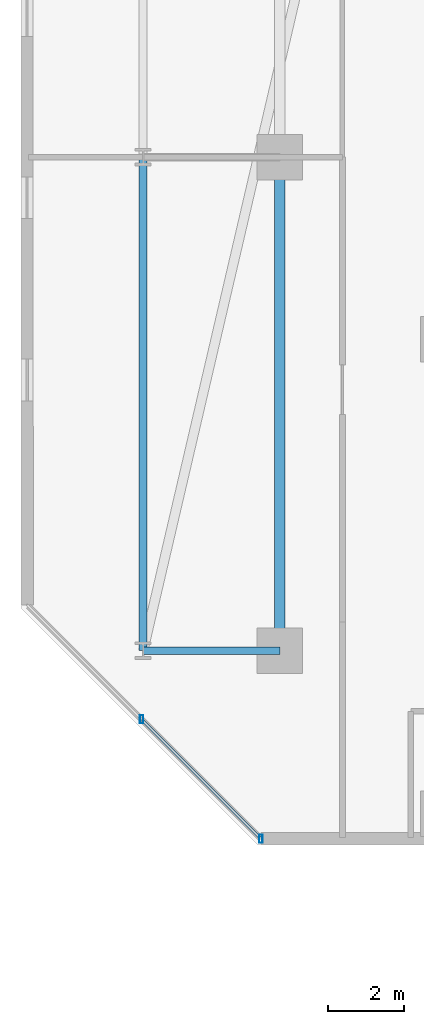
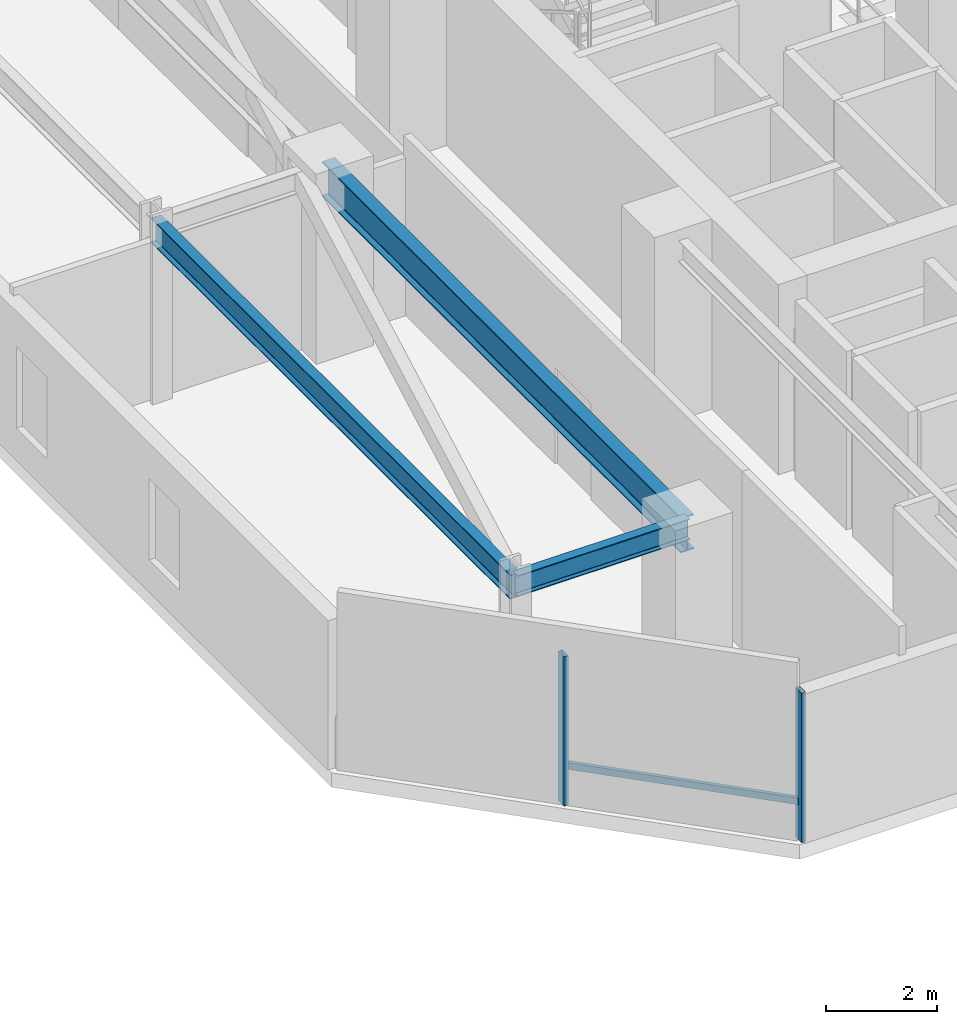
# One storey, part 6 of 30: 3 beams, 3 members, 1 element without a shape of its own.
"""IFC4 building model written with IfcOpenShell, lengths in metres."""

from ifc_helpers import new_model, si_unit, direction, frame, origin, origin_2d, place, context, subcontext, project, spatial, hollow_rectangle, i_section, extrude, material, material_profile, profile_set, type_object, element, aggregate, save


model = new_model("IFC4")

# Units and contexts
model_context = context("Model", 3, precision=1e-05, world=origin(), true_north=direction((0.0, 1.0)))
body_context = subcontext(model_context, "Body", "Model", "MODEL_VIEW")
ifc_project = project(units=[si_unit("LENGTHUNIT", "METRE"), si_unit("AREAUNIT", "SQUARE_METRE"), si_unit("VOLUMEUNIT", "CUBIC_METRE"), si_unit("PLANEANGLEUNIT", "RADIAN"), si_unit("MASSUNIT", "GRAM", prefix="KILO")], contexts=[model_context])

# Site, building, storey
site_placement = place(None, origin())
site = spatial("IfcSite", under=ifc_project, at=site_placement, CompositionType="ELEMENT")
building_placement = place(site_placement, origin())
building = spatial("IfcBuilding", under=site, at=building_placement, Name="Thornwick Lancets Civic Towers", CompositionType="ELEMENT")
storey_placement = place(building_placement, frame((0.0, 0.0, 75.89990234375)))
storey = spatial("IfcBuildingStorey", under=building, at=storey_placement, Name="L19", CompositionType="ELEMENT", Elevation=75.89990234375)

# Beams
ifc_material_1 = material(Name="Steel S355JR", Category="steel")
ifc_material_profile_1 = material_profile(ifc_material_1, i_section(OverallWidth=0.2119140625, OverallDepth=0.54443359375, WebThickness=0.0126953125, FlangeThickness=0.021240234375, FilletRadius=0.0126953125, at=origin_2d()), Name="UKB 533x210x122")
ifc_profile_set_1 = profile_set([ifc_material_profile_1], Name="Steel S355JR")
beam_type_1 = type_object("IfcBeamType", Name="BM_EDGE_533_122", PredefinedType="SPANDREL", material=ifc_profile_set_1)
beam_1_placement = place(storey_placement, frame((67.60009765625, 14.0, 3.687744140625), z_axis=(0.0, 1.0, 0.0), x_axis=(-1.0, 0.0, 0.0)))
element("IfcBeam", 1, at=beam_1_placement, inside=storey, type_object=beam_type_1, Name="BM-EDGE-L19-B-S2-1", PredefinedType="SPANDREL", context=body_context, shape_type="SweptSolid", body=[
    extrude(i_section(OverallWidth=0.2119140625, OverallDepth=0.54443359375, WebThickness=0.0126953125, FlangeThickness=0.021240234375, FilletRadius=0.0126953125, at=origin_2d()), origin(), (0.0, 0.0, 1.0), 13.0),
])
ifc_material_profile_2 = material_profile(ifc_material_1, i_section(OverallWidth=0.26806640625, OverallDepth=0.769775390625, WebThickness=0.015625, FlangeThickness=0.025390625, FilletRadius=0.0166015625, at=origin_2d()), Name="UKB 762x267x197")
ifc_profile_set_2 = profile_set([ifc_material_profile_2], Name="Steel S355JR")
beam_type_2 = type_object("IfcBeamType", Name="BM_GIRD_762_197", PredefinedType="BEAM", material=ifc_profile_set_2)
beam_2_placement = place(storey_placement, frame((71.199951171875, 14.0, 3.5751953125), z_axis=(0.0, 1.0, 0.0), x_axis=(-1.0, 0.0, 0.0)))
element("IfcBeam", 2, at=beam_2_placement, inside=storey, type_object=beam_type_2, Name="BM-SPINE-L19-B-6-7", PredefinedType="BEAM", context=body_context, shape_type="SweptSolid", body=[
    extrude(i_section(OverallWidth=0.26806640625, OverallDepth=0.769775390625, WebThickness=0.015625, FlangeThickness=0.025390625, FilletRadius=0.0166015625, at=origin_2d()), origin(), (0.0, 0.0, 1.0), 13.0),
])
ifc_material_profile_3 = material_profile(ifc_material_1, i_section(OverallWidth=0.19189453125, OverallDepth=0.46337890625, WebThickness=0.010498046875, FlangeThickness=0.017578125, FilletRadius=0.01025390625, at=origin_2d()), Name="UKB 457x191x89")
ifc_profile_set_3 = profile_set([ifc_material_profile_3], Name="Steel S355JR")
beam_type_3 = type_object("IfcBeamType", Name="BM_JOIST_457_89", PredefinedType="JOIST", material=ifc_profile_set_3)
beam_3_placement = place(storey_placement, frame((71.199951171875, 14.0, 3.728515625), z_axis=(-1.0, 0.0, 0.0), x_axis=(0.0, -1.0, 0.0)))
element("IfcBeam", 3, at=beam_3_placement, inside=storey, type_object=beam_type_3, Name="BM-RAD-L19-B07", PredefinedType="JOIST", context=body_context, shape_type="SweptSolid", body=[
    extrude(i_section(OverallWidth=0.19189453125, OverallDepth=0.46337890625, WebThickness=0.010498046875, FlangeThickness=0.017578125, FilletRadius=0.01025390625, at=origin_2d()), origin(), (0.0, 0.0, 1.0), 3.599853515625),
])

# Curtain wall, members
ifc_material_2 = material(Name="Low-zone chamfered-corner unitised glass curtain wall", Category="glass")
curtain_wall_type = type_object("IfcCurtainWallType", Name="CW_SYS_03", PredefinedType="NOTDEFINED", material=ifc_material_2)
curtain_wall_placement = place(storey_placement, origin())
curtain_wall = element("IfcCurtainWall", 4, at=curtain_wall_placement, inside=storey, type_object=curtain_wall_type, Name="L19 Curtain Wall CW-L19-B-E7", PredefinedType="NOTDEFINED")
ifc_material_3 = material(Name="Thermally broken bronze aluminium S355", Category="steel")
ifc_material_profile_4 = material_profile(ifc_material_3, hollow_rectangle(XDim=0.090087890625, YDim=0.219970703125, WallThickness=0.00634765625, at=origin_2d()), Name="RHS 220x90x6.3")
ifc_profile_set_4 = profile_set([ifc_material_profile_4], Name="Thermally broken bronze aluminium S355")
member_type_1 = type_object("IfcMemberType", Name="CW_MUL_220", PredefinedType="MULLION", material=ifc_profile_set_4)
member_1_placement = place(storey_placement, frame((67.559326171875, 12.19140625, 0.0), z_axis=(0.0, 0.0, 1.0), x_axis=(1.0, 0.0, 0.0)))
member_1 = element("IfcMember", 5, at=member_1_placement, type_object=member_type_1, Name="CW-L19-B-E7 Mullion 0", PredefinedType="MULLION", context=body_context, shape_type="SweptSolid", body=[
    extrude(hollow_rectangle(XDim=0.090087890625, YDim=0.219970703125, WallThickness=0.00634765625, at=origin_2d()), origin(), (0.0, 0.0, 1.0), 3.300048828125),
])
member_2_placement = place(storey_placement, frame((70.703857421875, 9.047119140625, 0.0), z_axis=(0.0, 0.0, 1.0), x_axis=(1.0, 0.0, 0.0)))
member_2 = element("IfcMember", 6, at=member_2_placement, type_object=member_type_1, Name="CW-L19-B-E7 Mullion 1", PredefinedType="MULLION", context=body_context, shape_type="SweptSolid", body=[
    extrude(hollow_rectangle(XDim=0.090087890625, YDim=0.219970703125, WallThickness=0.00634765625, at=origin_2d()), origin(), (0.0, 0.0, 1.0), 3.300048828125),
])
ifc_material_profile_5 = material_profile(ifc_material_3, hollow_rectangle(XDim=0.074951171875, YDim=0.14990234375, WallThickness=0.0048828125, at=origin_2d()), Name="RHS 150x75x5")
ifc_profile_set_5 = profile_set([ifc_material_profile_5], Name="Thermally broken bronze aluminium S355")
member_type_2 = type_object("IfcMemberType", Name="CW_TRN_150", PredefinedType="USERDEFINED", material=ifc_profile_set_5)
member_3_placement = place(storey_placement, frame((67.573486328125, 12.177490234375, 0.85009765625), z_axis=(0.707079082466, -0.707134478822, 0.0), x_axis=(0.707134478822, 0.707079082466, 0.0)))
member_3 = element("IfcMember", 7, at=member_3_placement, type_object=member_type_2, Name="CW-L19-B-E7 Transom 0", ObjectType="TRANSOM", PredefinedType="USERDEFINED", context=body_context, shape_type="SweptSolid", body=[
    extrude(hollow_rectangle(XDim=0.074951171875, YDim=0.14990234375, WallThickness=0.0048828125, at=origin_2d()), origin(), (0.0, 0.0, 1.0), 4.4072265625),
])
aggregate(curtain_wall, [member_1, member_2, member_3])

save(model, "model.ifc")
